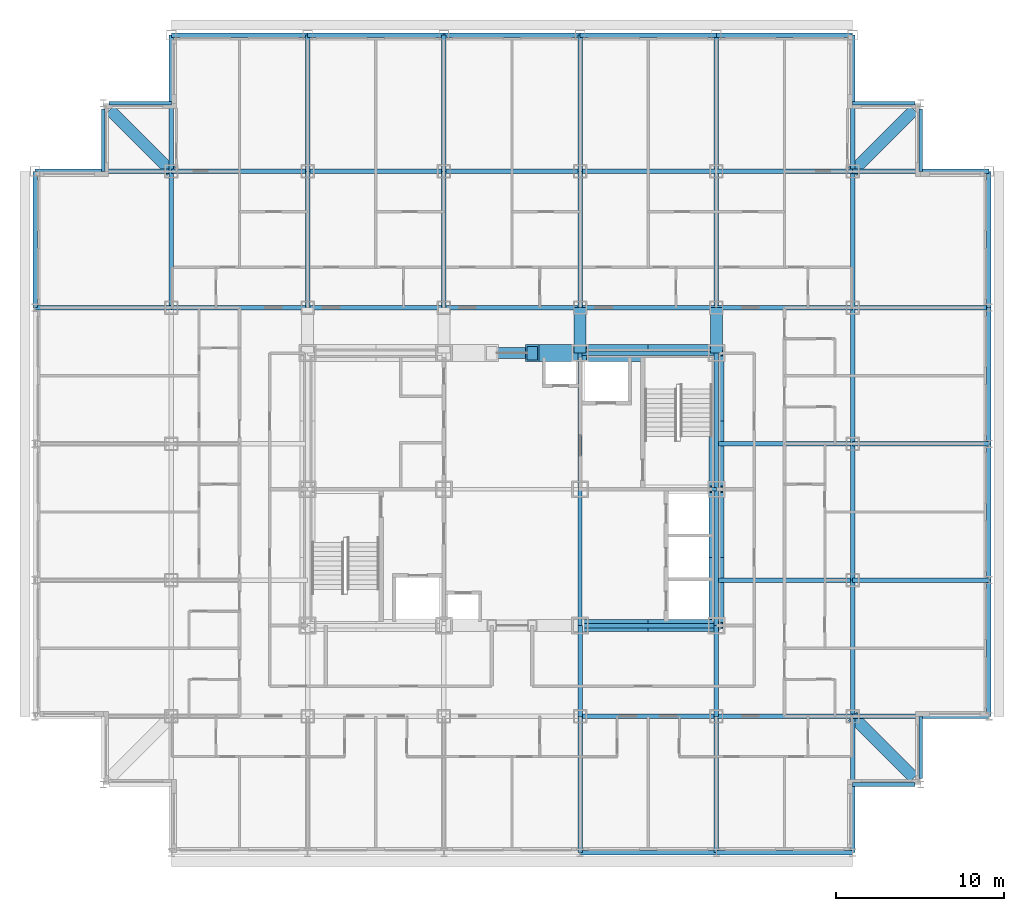
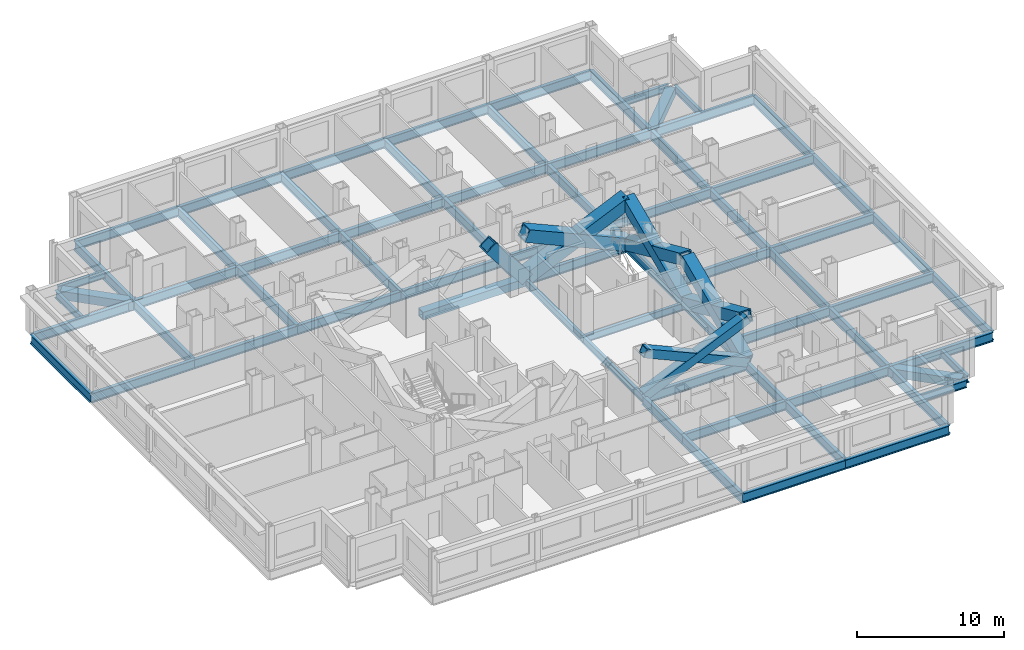
# One storey, part 2 of 12: 72 beams, 9 members.
"""IFC4 building model written with IfcOpenShell, lengths in metres."""

from ifc_helpers import new_model, si_unit, direction, frame, origin, origin_2d, place, context, subcontext, project, spatial, hollow_rectangle, i_section, extrude, material, material_profile, profile_set, type_object, element, save


model = new_model("IFC4")

# Units and contexts
model_context = context("Model", 3, precision=1e-05, world=origin(), true_north=direction((0.0, 1.0)))
body_context = subcontext(model_context, "Body", "Model", "MODEL_VIEW")
ifc_project = project(units=[si_unit("LENGTHUNIT", "METRE"), si_unit("AREAUNIT", "SQUARE_METRE"), si_unit("VOLUMEUNIT", "CUBIC_METRE"), si_unit("PLANEANGLEUNIT", "RADIAN"), si_unit("MASSUNIT", "GRAM", prefix="KILO")], contexts=[model_context])

# Site, building, storey
site_placement = place(None, origin())
site = spatial("IfcSite", under=ifc_project, at=site_placement, CompositionType="ELEMENT")
building_placement = place(site_placement, origin())
building = spatial("IfcBuilding", under=site, at=building_placement, Name="Kopane Lantern Tower", CompositionType="ELEMENT")
storey_placement = place(building_placement, frame((0.0, 0.0, 170.39990234375)))
storey = spatial("IfcBuildingStorey", under=building, at=storey_placement, Name="L43", CompositionType="ELEMENT", Elevation=170.39990234375)

# Members
ifc_material_1 = material(Name="Steel S355JR", Category="steel")
ifc_material_profile_1 = material_profile(ifc_material_1, hollow_rectangle(XDim=1.0, YDim=1.0, WallThickness=0.10009765625, at=origin_2d()), Name="BOX 1000x1000x100")
ifc_profile_set_1 = profile_set([ifc_material_profile_1], Name="Steel S355JR")
member_type_1 = type_object("IfcMemberType", Name="BRACE BOX 1000x1000x100", PredefinedType="BRACE", material=ifc_profile_set_1)
member_placement = place(storey_placement, frame((32.39990234375, 40.5, -0.2099609375), z_axis=(-0.620672981644, 0.0, 0.784069544018), x_axis=(0.0, -1.0, 0.0)))
element("IfcMember", 1, at=member_placement, inside=storey, type_object=member_type_1, Name="Core brace L43", PredefinedType="BRACE", context=body_context, shape_type="SweptSolid", body=[
    extrude(hollow_rectangle(XDim=1.0, YDim=1.0, WallThickness=0.10009765625, at=origin_2d()), origin(), (0.0, 0.0, 1.0), 4.591552734375),
])
for number, where, z_axis, x_axis, name in (
    (2, (32.39990234375, 40.5, -0.2099609375), (0.913809277049, 0.0, 0.40614357705), (0.0, 1.0, 0.0), "Core brace L43"),
    (3, (40.5, 40.5, -0.2099609375), (-0.913809277049, 0.0, 0.40614357705), (0.0, -1.0, 0.0), "Core brace L43"),
):
    element("IfcMember", number, at=place(storey_placement, frame(where, z_axis=z_axis, x_axis=x_axis)), inside=storey, type_object=member_type_1, Name=name, PredefinedType="BRACE", context=body_context, shape_type="SweptSolid", body=[
        extrude(hollow_rectangle(XDim=1.0, YDim=1.0, WallThickness=0.10009765625, at=origin_2d()), origin(), (0.0, 0.0, 1.0), 8.864013671875),
    ])
ifc_material_2 = material(Name="Steel S355JR", Category="steel")
ifc_material_profile_2 = material_profile(ifc_material_2, hollow_rectangle(XDim=0.699951171875, YDim=0.699951171875, WallThickness=0.06005859375, at=origin_2d()), Name="BOX 700x700x60")
ifc_profile_set_2 = profile_set([ifc_material_profile_2], Name="Steel S355JR")
member_type_2 = type_object("IfcMemberType", Name="BRACE BOX 700x700x60", PredefinedType="BRACE", material=ifc_profile_set_2)
for number, where, z_axis, x_axis, name in (
    (4, (32.39990234375, 24.300048828125, -0.2099609375), (0.913809277049, 0.0, 0.40614357705), (0.0, 1.0, 0.0), "Core brace L43"),
    (5, (40.5, 24.300048828125, -0.2099609375), (-0.913809277049, 0.0, 0.40614357705), (0.0, -1.0, 0.0), "Core brace L43"),
):
    element("IfcMember", number, at=place(storey_placement, frame(where, z_axis=z_axis, x_axis=x_axis)), inside=storey, type_object=member_type_2, Name=name, PredefinedType="BRACE", context=body_context, shape_type="SweptSolid", body=[
        extrude(hollow_rectangle(XDim=0.699951171875, YDim=0.699951171875, WallThickness=0.06005859375, at=origin_2d()), origin(), (0.0, 0.0, 1.0), 8.864013671875),
    ])
ifc_material_3 = material(Name="Steel S355JR", Category="steel")
ifc_material_profile_3 = material_profile(ifc_material_3, hollow_rectangle(XDim=0.89990234375, YDim=0.89990234375, WallThickness=0.090087890625, at=origin_2d()), Name="BOX 900x900x90")
ifc_profile_set_3 = profile_set([ifc_material_profile_3], Name="Steel S355JR")
member_type_3 = type_object("IfcMemberType", Name="BRACE BOX 900x900x90", PredefinedType="BRACE", material=ifc_profile_set_3)
for number, where, z_axis, x_axis, name in (
    (6, (40.5, 24.300048828125, -0.2099609375), (0.0, 0.91380473365, 0.406153799391), (-1.0, 0.0, 0.0), "Core brace L43"),
    (7, (40.5, 32.39990234375, -0.2099609375), (0.0, -0.91380473365, 0.406153799391), (1.0, 0.0, 0.0), "Core brace L43"),
):
    element("IfcMember", number, at=place(storey_placement, frame(where, z_axis=z_axis, x_axis=x_axis)), inside=storey, type_object=member_type_3, Name=name, PredefinedType="BRACE", context=body_context, shape_type="SweptSolid", body=[
        extrude(hollow_rectangle(XDim=0.89990234375, YDim=0.89990234375, WallThickness=0.090087890625, at=origin_2d()), origin(), (0.0, 0.0, 1.0), 8.86376953125),
    ])
for number, where, z_axis, x_axis, name in (
    (8, (40.5, 32.39990234375, -0.2099609375), (0.0, 0.913809277049, 0.40614357705), (-1.0, 0.0, 0.0), "Core brace L43"),
    (9, (40.5, 40.5, -0.2099609375), (0.0, -0.913809277049, 0.40614357705), (1.0, 0.0, 0.0), "Core brace L43"),
):
    element("IfcMember", number, at=place(storey_placement, frame(where, z_axis=z_axis, x_axis=x_axis)), inside=storey, type_object=member_type_3, Name=name, PredefinedType="BRACE", context=body_context, shape_type="SweptSolid", body=[
        extrude(hollow_rectangle(XDim=0.89990234375, YDim=0.89990234375, WallThickness=0.090087890625, at=origin_2d()), origin(), (0.0, 0.0, 1.0), 8.864013671875),
    ])

# Beams
ifc_material_4 = material(Name="Steel S355JR", Category="steel")
ifc_material_profile_4 = material_profile(ifc_material_4, i_section(OverallWidth=0.22900390625, OverallDepth=0.6123046875, WebThickness=0.011962890625, FlangeThickness=0.01953125, FilletRadius=0.0126953125, at=origin_2d()), Name="UB 610x229x125")
ifc_profile_set_4 = profile_set([ifc_material_profile_4], Name="Steel S355JR")
beam_type_1 = type_object("IfcBeamType", Name="CORE BEAM UB 610x229x125", PredefinedType="BEAM", material=ifc_profile_set_4)
beam_1_placement = place(storey_placement, frame((32.39990234375, 24.300048828125, -0.51611328125), z_axis=(0.0, 1.0, 0.0), x_axis=(-1.0, 0.0, 0.0)))
element("IfcBeam", 10, at=beam_1_placement, inside=storey, type_object=beam_type_1, Name="Core Beam L43", PredefinedType="BEAM", context=body_context, shape_type="SweptSolid", body=[
    extrude(i_section(OverallWidth=0.22900390625, OverallDepth=0.6123046875, WebThickness=0.011962890625, FlangeThickness=0.01953125, FilletRadius=0.0126953125, at=origin_2d()), origin(), (0.0, 0.0, 1.0), 8.099853515625),
])
for number, where, z_axis, x_axis, name in (
    (11, (32.39990234375, 32.39990234375, -0.51611328125), (0.0, 1.0, 0.0), (-1.0, 0.0, 0.0), "Core Beam L43"),
    (12, (32.39990234375, 32.39990234375, -0.51611328125), (1.0, 0.0, 0.0), (0.0, 1.0, 0.0), "Core Beam L43"),
):
    element("IfcBeam", number, at=place(storey_placement, frame(where, z_axis=z_axis, x_axis=x_axis)), inside=storey, type_object=beam_type_1, Name=name, PredefinedType="BEAM", context=body_context, shape_type="SweptSolid", body=[
        extrude(i_section(OverallWidth=0.22900390625, OverallDepth=0.6123046875, WebThickness=0.011962890625, FlangeThickness=0.01953125, FilletRadius=0.0126953125, at=origin_2d()), origin(), (0.0, 0.0, 1.0), 8.10009765625),
    ])
ifc_material_5 = material(Name="Steel S355JR", Category="steel")
ifc_material_profile_5 = material_profile(ifc_material_5, hollow_rectangle(XDim=0.699951171875, YDim=0.699951171875, WallThickness=0.06005859375, at=origin_2d()), Name="BOX 700x700x60")
ifc_profile_set_5 = profile_set([ifc_material_profile_5], Name="Steel S355JR")
beam_type_2 = type_object("IfcBeamType", Name="CORNER TIE BEAM BOX 700x700x60", PredefinedType="BEAM", material=ifc_profile_set_5)
for number, where, z_axis, x_axis, name in (
    (13, (4.447509765625, 54.952392578125, -0.559814453125), (0.70713041325, -0.707083148333, 0.0), (0.707083148333, 0.70713041325, 0.0), "Corner Tie Beam L43"),
    (14, (52.25244140625, 15.24755859375, -0.559814453125), (-0.707106781187, 0.707106781187, 0.0), (-0.707106781187, -0.707106781187, 0.0), "Corner Tie Beam L43"),
    (15, (52.25244140625, 54.952392578125, -0.559814453125), (-0.707106781187, -0.707106781187, 0.0), (0.707106781187, -0.707106781187, 0.0), "Corner Tie Beam L43"),
):
    element("IfcBeam", number, at=place(storey_placement, frame(where, z_axis=z_axis, x_axis=x_axis)), inside=storey, type_object=beam_type_2, Name=name, PredefinedType="BEAM", context=body_context, shape_type="SweptSolid", body=[
        extrude(hollow_rectangle(XDim=0.699951171875, YDim=0.699951171875, WallThickness=0.06005859375, at=origin_2d()), origin(), (0.0, 0.0, 1.0), 5.165283203125),
    ])
ifc_material_6 = material(Name="Steel S355JR", Category="steel")
ifc_material_profile_6 = material_profile(ifc_material_6, i_section(OverallWidth=0.22900390625, OverallDepth=0.6123046875, WebThickness=0.011962890625, FlangeThickness=0.01953125, FilletRadius=0.0126953125, at=origin_2d()), Name="UB 610x229x125")
ifc_profile_set_6 = profile_set([ifc_material_profile_6], Name="Steel S355JR")
beam_type_3 = type_object("IfcBeamType", Name="EDGE BEAM UB 610x229x125", PredefinedType="BEAM", material=ifc_profile_set_6)
beam_2_placement = place(storey_placement, frame((4.050048828125, 55.0, -0.51611328125), z_axis=(0.0, -1.0, 0.0), x_axis=(1.0, 0.0, 0.0)))
element("IfcBeam", 16, at=beam_2_placement, inside=storey, type_object=beam_type_3, Name="Edge Beam L43", PredefinedType="BEAM", context=body_context, shape_type="SweptSolid", body=[
    extrude(i_section(OverallWidth=0.22900390625, OverallDepth=0.6123046875, WebThickness=0.011962890625, FlangeThickness=0.01953125, FilletRadius=0.0126953125, at=origin_2d()), origin(), (0.0, 0.0, 1.0), 3.699951171875),
])
beam_3_placement = place(storey_placement, frame((4.39990234375, 55.35009765625, -0.51611328125), z_axis=(1.0, 0.0, 0.0), x_axis=(0.0, 1.0, 0.0)))
element("IfcBeam", 17, at=beam_3_placement, inside=storey, type_object=beam_type_3, Name="Edge Beam L43", PredefinedType="BEAM", context=body_context, shape_type="SweptSolid", body=[
    extrude(i_section(OverallWidth=0.22900390625, OverallDepth=0.6123046875, WebThickness=0.011962890625, FlangeThickness=0.01953125, FilletRadius=0.0126953125, at=origin_2d()), origin(), (0.0, 0.0, 1.0), 3.7001953125),
])
for number, where, z_axis, x_axis, name in (
    (18, (52.300048828125, 14.85009765625, -0.51611328125), (-1.0, 0.0, 0.0), (0.0, -1.0, 0.0), "Edge Beam L43"),
    (19, (52.300048828125, 55.35009765625, -0.51611328125), (-1.0, 0.0, 0.0), (0.0, -1.0, 0.0), "Edge Beam L43"),
    (20, (52.64990234375, 15.199951171875, -0.51611328125), (0.0, 1.0, 0.0), (-1.0, 0.0, 0.0), "Edge Beam L43"),
    (21, (52.64990234375, 55.0, -0.51611328125), (0.0, -1.0, 0.0), (1.0, 0.0, 0.0), "Edge Beam L43"),
):
    element("IfcBeam", number, at=place(storey_placement, frame(where, z_axis=z_axis, x_axis=x_axis)), inside=storey, type_object=beam_type_3, Name=name, PredefinedType="BEAM", context=body_context, shape_type="SweptSolid", body=[
        extrude(i_section(OverallWidth=0.22900390625, OverallDepth=0.6123046875, WebThickness=0.011962890625, FlangeThickness=0.01953125, FilletRadius=0.0126953125, at=origin_2d()), origin(), (0.0, 0.0, 1.0), 3.699951171875),
    ])
ifc_material_7 = material(Name="Steel S355JR", Category="steel")
ifc_material_profile_7 = material_profile(ifc_material_7, hollow_rectangle(XDim=0.699951171875, YDim=0.699951171875, WallThickness=0.06005859375, at=origin_2d()), Name="BOX 700x700x60")
ifc_profile_set_7 = profile_set([ifc_material_profile_7], Name="Steel S355JR")
beam_type_4 = type_object("IfcBeamType", Name="GIRDER BOX 700x700x60", PredefinedType="BEAM", material=ifc_profile_set_7)
for number, where, z_axis, x_axis, name in (
    (22, (32.39990234375, 40.5, -0.559814453125), (0.0, 1.0, 0.0), (-1.0, 0.0, 0.0), "Girder L43"),
    (23, (40.5, 40.5, -0.559814453125), (0.0, 1.0, 0.0), (-1.0, 0.0, 0.0), "Girder L43"),
):
    element("IfcBeam", number, at=place(storey_placement, frame(where, z_axis=z_axis, x_axis=x_axis)), inside=storey, type_object=beam_type_4, Name=name, PredefinedType="BEAM", context=body_context, shape_type="SweptSolid", body=[
        extrude(hollow_rectangle(XDim=0.699951171875, YDim=0.699951171875, WallThickness=0.06005859375, at=origin_2d()), origin(), (0.0, 0.0, 1.0), 2.699951171875),
    ])
ifc_material_8 = material(Name="Steel S355JR", Category="steel")
ifc_material_profile_8 = material_profile(ifc_material_8, i_section(OverallWidth=0.26806640625, OverallDepth=0.769775390625, WebThickness=0.015625, FlangeThickness=0.025390625, FilletRadius=0.0166015625, at=origin_2d()), Name="UB 762x267x197")
ifc_profile_set_8 = profile_set([ifc_material_profile_8], Name="Steel S355JR")
beam_type_5 = type_object("IfcBeamType", Name="GIRDER UB 762x267x197", PredefinedType="BEAM", material=ifc_profile_set_8)
for number, where, z_axis, x_axis, name in (
    (24, (0.0, 43.199951171875, -0.5947265625), (0.0, 1.0, 0.0), (-1.0, 0.0, 0.0), "Girder L43"),
    (25, (0.0, 43.199951171875, -0.5947265625), (1.0, 0.0, 0.0), (0.0, 1.0, 0.0), "Girder L43"),
    (26, (0.0, 51.300048828125, -0.5947265625), (1.0, 0.0, 0.0), (0.0, 1.0, 0.0), "Girder L43"),
    (27, (8.10009765625, 43.199951171875, -0.5947265625), (0.0, 1.0, 0.0), (-1.0, 0.0, 0.0), "Girder L43"),
):
    element("IfcBeam", number, at=place(storey_placement, frame(where, z_axis=z_axis, x_axis=x_axis)), inside=storey, type_object=beam_type_5, Name=name, PredefinedType="BEAM", context=body_context, shape_type="SweptSolid", body=[
        extrude(i_section(OverallWidth=0.26806640625, OverallDepth=0.769775390625, WebThickness=0.015625, FlangeThickness=0.025390625, FilletRadius=0.0166015625, at=origin_2d()), origin(), (0.0, 0.0, 1.0), 8.10009765625),
    ])
for number, where, z_axis, x_axis, name in (
    (28, (8.10009765625, 43.199951171875, -0.5947265625), (1.0, 0.0, 0.0), (0.0, 1.0, 0.0), "Girder L43"),
    (29, (8.10009765625, 51.300048828125, -0.5947265625), (0.0, 1.0, 0.0), (-1.0, 0.0, 0.0), "Girder L43"),
    (30, (8.10009765625, 51.300048828125, -0.5947265625), (1.0, 0.0, 0.0), (0.0, 1.0, 0.0), "Girder L43"),
    (31, (8.10009765625, 59.39990234375, -0.5947265625), (1.0, 0.0, 0.0), (0.0, 1.0, 0.0), "Girder L43"),
):
    element("IfcBeam", number, at=place(storey_placement, frame(where, z_axis=z_axis, x_axis=x_axis)), inside=storey, type_object=beam_type_5, Name=name, PredefinedType="BEAM", context=body_context, shape_type="SweptSolid", body=[
        extrude(i_section(OverallWidth=0.26806640625, OverallDepth=0.769775390625, WebThickness=0.015625, FlangeThickness=0.025390625, FilletRadius=0.0166015625, at=origin_2d()), origin(), (0.0, 0.0, 1.0), 8.099853515625),
    ])
for number, where, z_axis, x_axis, name in (
    (32, (16.199951171875, 43.199951171875, -0.5947265625), (0.0, 1.0, 0.0), (-1.0, 0.0, 0.0), "Girder L43"),
    (33, (16.199951171875, 43.199951171875, -0.5947265625), (1.0, 0.0, 0.0), (0.0, 1.0, 0.0), "Girder L43"),
):
    element("IfcBeam", number, at=place(storey_placement, frame(where, z_axis=z_axis, x_axis=x_axis)), inside=storey, type_object=beam_type_5, Name=name, PredefinedType="BEAM", context=body_context, shape_type="SweptSolid", body=[
        extrude(i_section(OverallWidth=0.26806640625, OverallDepth=0.769775390625, WebThickness=0.015625, FlangeThickness=0.025390625, FilletRadius=0.0166015625, at=origin_2d()), origin(), (0.0, 0.0, 1.0), 8.10009765625),
    ])
beam_4_placement = place(storey_placement, frame((16.199951171875, 51.300048828125, -0.5947265625), z_axis=(0.0, 1.0, 0.0), x_axis=(-1.0, 0.0, 0.0)))
element("IfcBeam", 34, at=beam_4_placement, inside=storey, type_object=beam_type_5, Name="Girder L43", PredefinedType="BEAM", context=body_context, shape_type="SweptSolid", body=[
    extrude(i_section(OverallWidth=0.26806640625, OverallDepth=0.769775390625, WebThickness=0.015625, FlangeThickness=0.025390625, FilletRadius=0.0166015625, at=origin_2d()), origin(), (0.0, 0.0, 1.0), 8.099853515625),
])
for number, where, z_axis, x_axis, name in (
    (35, (16.199951171875, 51.300048828125, -0.5947265625), (1.0, 0.0, 0.0), (0.0, 1.0, 0.0), "Girder L43"),
    (36, (16.199951171875, 59.39990234375, -0.5947265625), (1.0, 0.0, 0.0), (0.0, 1.0, 0.0), "Girder L43"),
    (37, (24.300048828125, 43.199951171875, -0.5947265625), (0.0, 1.0, 0.0), (-1.0, 0.0, 0.0), "Girder L43"),
):
    element("IfcBeam", number, at=place(storey_placement, frame(where, z_axis=z_axis, x_axis=x_axis)), inside=storey, type_object=beam_type_5, Name=name, PredefinedType="BEAM", context=body_context, shape_type="SweptSolid", body=[
        extrude(i_section(OverallWidth=0.26806640625, OverallDepth=0.769775390625, WebThickness=0.015625, FlangeThickness=0.025390625, FilletRadius=0.0166015625, at=origin_2d()), origin(), (0.0, 0.0, 1.0), 8.10009765625),
    ])
for number, where, z_axis, x_axis, name in (
    (38, (24.300048828125, 43.199951171875, -0.5947265625), (1.0, 0.0, 0.0), (0.0, 1.0, 0.0), "Girder L43"),
    (39, (24.300048828125, 51.300048828125, -0.5947265625), (0.0, 1.0, 0.0), (-1.0, 0.0, 0.0), "Girder L43"),
    (40, (24.300048828125, 51.300048828125, -0.5947265625), (1.0, 0.0, 0.0), (0.0, 1.0, 0.0), "Girder L43"),
    (41, (24.300048828125, 59.39990234375, -0.5947265625), (1.0, 0.0, 0.0), (0.0, 1.0, 0.0), "Girder L43"),
    (42, (32.39990234375, 10.800048828125, -0.5947265625), (0.0, 1.0, 0.0), (-1.0, 0.0, 0.0), "Girder L43"),
):
    element("IfcBeam", number, at=place(storey_placement, frame(where, z_axis=z_axis, x_axis=x_axis)), inside=storey, type_object=beam_type_5, Name=name, PredefinedType="BEAM", context=body_context, shape_type="SweptSolid", body=[
        extrude(i_section(OverallWidth=0.26806640625, OverallDepth=0.769775390625, WebThickness=0.015625, FlangeThickness=0.025390625, FilletRadius=0.0166015625, at=origin_2d()), origin(), (0.0, 0.0, 1.0), 8.099853515625),
    ])
beam_5_placement = place(storey_placement, frame((32.39990234375, 10.800048828125, -0.5947265625), z_axis=(1.0, 0.0, 0.0), x_axis=(0.0, 1.0, 0.0)))
element("IfcBeam", 43, at=beam_5_placement, inside=storey, type_object=beam_type_5, Name="Girder L43", PredefinedType="BEAM", context=body_context, shape_type="SweptSolid", body=[
    extrude(i_section(OverallWidth=0.26806640625, OverallDepth=0.769775390625, WebThickness=0.015625, FlangeThickness=0.025390625, FilletRadius=0.0166015625, at=origin_2d()), origin(), (0.0, 0.0, 1.0), 8.10009765625),
])
beam_6_placement = place(storey_placement, frame((32.39990234375, 18.89990234375, -0.5947265625), z_axis=(0.0, 1.0, 0.0), x_axis=(-1.0, 0.0, 0.0)))
element("IfcBeam", 44, at=beam_6_placement, inside=storey, type_object=beam_type_5, Name="Girder L43", PredefinedType="BEAM", context=body_context, shape_type="SweptSolid", body=[
    extrude(i_section(OverallWidth=0.26806640625, OverallDepth=0.769775390625, WebThickness=0.015625, FlangeThickness=0.025390625, FilletRadius=0.0166015625, at=origin_2d()), origin(), (0.0, 0.0, 1.0), 5.400146484375),
])
for number, where, z_axis, x_axis, name in (
    (45, (32.39990234375, 18.89990234375, -0.5947265625), (1.0, 0.0, 0.0), (0.0, 1.0, 0.0), "Girder L43"),
    (46, (32.39990234375, 24.300048828125, -0.5947265625), (1.0, 0.0, 0.0), (0.0, 1.0, 0.0), "Girder L43"),
    (47, (32.39990234375, 40.5, -0.5947265625), (1.0, 0.0, 0.0), (0.0, 1.0, 0.0), "Girder L43"),
    (48, (32.39990234375, 43.199951171875, -0.5947265625), (0.0, 1.0, 0.0), (-1.0, 0.0, 0.0), "Girder L43"),
    (49, (32.39990234375, 43.199951171875, -0.5947265625), (1.0, 0.0, 0.0), (0.0, 1.0, 0.0), "Girder L43"),
):
    element("IfcBeam", number, at=place(storey_placement, frame(where, z_axis=z_axis, x_axis=x_axis)), inside=storey, type_object=beam_type_5, Name=name, PredefinedType="BEAM", context=body_context, shape_type="SweptSolid", body=[
        extrude(i_section(OverallWidth=0.26806640625, OverallDepth=0.769775390625, WebThickness=0.015625, FlangeThickness=0.025390625, FilletRadius=0.0166015625, at=origin_2d()), origin(), (0.0, 0.0, 1.0), 8.10009765625),
    ])
beam_7_placement = place(storey_placement, frame((32.39990234375, 51.300048828125, -0.5947265625), z_axis=(0.0, 1.0, 0.0), x_axis=(-1.0, 0.0, 0.0)))
element("IfcBeam", 50, at=beam_7_placement, inside=storey, type_object=beam_type_5, Name="Girder L43", PredefinedType="BEAM", context=body_context, shape_type="SweptSolid", body=[
    extrude(i_section(OverallWidth=0.26806640625, OverallDepth=0.769775390625, WebThickness=0.015625, FlangeThickness=0.025390625, FilletRadius=0.0166015625, at=origin_2d()), origin(), (0.0, 0.0, 1.0), 8.099853515625),
])
for number, where, z_axis, x_axis, name in (
    (51, (32.39990234375, 51.300048828125, -0.5947265625), (1.0, 0.0, 0.0), (0.0, 1.0, 0.0), "Girder L43"),
    (52, (32.39990234375, 59.39990234375, -0.5947265625), (1.0, 0.0, 0.0), (0.0, 1.0, 0.0), "Girder L43"),
):
    element("IfcBeam", number, at=place(storey_placement, frame(where, z_axis=z_axis, x_axis=x_axis)), inside=storey, type_object=beam_type_5, Name=name, PredefinedType="BEAM", context=body_context, shape_type="SweptSolid", body=[
        extrude(i_section(OverallWidth=0.26806640625, OverallDepth=0.769775390625, WebThickness=0.015625, FlangeThickness=0.025390625, FilletRadius=0.0166015625, at=origin_2d()), origin(), (0.0, 0.0, 1.0), 8.10009765625),
    ])
beam_8_placement = place(storey_placement, frame((40.5, 10.800048828125, -0.5947265625), z_axis=(0.0, 1.0, 0.0), x_axis=(-1.0, 0.0, 0.0)))
element("IfcBeam", 53, at=beam_8_placement, inside=storey, type_object=beam_type_5, Name="Girder L43", PredefinedType="BEAM", context=body_context, shape_type="SweptSolid", body=[
    extrude(i_section(OverallWidth=0.26806640625, OverallDepth=0.769775390625, WebThickness=0.015625, FlangeThickness=0.025390625, FilletRadius=0.0166015625, at=origin_2d()), origin(), (0.0, 0.0, 1.0), 8.099853515625),
])
beam_9_placement = place(storey_placement, frame((40.5, 10.800048828125, -0.5947265625), z_axis=(1.0, 0.0, 0.0), x_axis=(0.0, 1.0, 0.0)))
element("IfcBeam", 54, at=beam_9_placement, inside=storey, type_object=beam_type_5, Name="Girder L43", PredefinedType="BEAM", context=body_context, shape_type="SweptSolid", body=[
    extrude(i_section(OverallWidth=0.26806640625, OverallDepth=0.769775390625, WebThickness=0.015625, FlangeThickness=0.025390625, FilletRadius=0.0166015625, at=origin_2d()), origin(), (0.0, 0.0, 1.0), 8.10009765625),
])
beam_10_placement = place(storey_placement, frame((40.5, 18.89990234375, -0.5947265625), z_axis=(0.0, 1.0, 0.0), x_axis=(-1.0, 0.0, 0.0)))
element("IfcBeam", 55, at=beam_10_placement, inside=storey, type_object=beam_type_5, Name="Girder L43", PredefinedType="BEAM", context=body_context, shape_type="SweptSolid", body=[
    extrude(i_section(OverallWidth=0.26806640625, OverallDepth=0.769775390625, WebThickness=0.015625, FlangeThickness=0.025390625, FilletRadius=0.0166015625, at=origin_2d()), origin(), (0.0, 0.0, 1.0), 5.400146484375),
])
beam_11_placement = place(storey_placement, frame((40.5, 18.89990234375, -0.5947265625), z_axis=(1.0, 0.0, 0.0), x_axis=(0.0, 1.0, 0.0)))
element("IfcBeam", 56, at=beam_11_placement, inside=storey, type_object=beam_type_5, Name="Girder L43", PredefinedType="BEAM", context=body_context, shape_type="SweptSolid", body=[
    extrude(i_section(OverallWidth=0.26806640625, OverallDepth=0.769775390625, WebThickness=0.015625, FlangeThickness=0.025390625, FilletRadius=0.0166015625, at=origin_2d()), origin(), (0.0, 0.0, 1.0), 8.10009765625),
])
beam_12_placement = place(storey_placement, frame((40.5, 24.300048828125, -0.5947265625), z_axis=(0.0, 1.0, 0.0), x_axis=(-1.0, 0.0, 0.0)))
element("IfcBeam", 57, at=beam_12_placement, inside=storey, type_object=beam_type_5, Name="Girder L43", PredefinedType="BEAM", context=body_context, shape_type="SweptSolid", body=[
    extrude(i_section(OverallWidth=0.26806640625, OverallDepth=0.769775390625, WebThickness=0.015625, FlangeThickness=0.025390625, FilletRadius=0.0166015625, at=origin_2d()), origin(), (0.0, 0.0, 1.0), 8.099853515625),
])
for number, where, z_axis, x_axis, name in (
    (58, (40.5, 27.0, -0.5947265625), (1.0, 0.0, 0.0), (0.0, 1.0, 0.0), "Girder L43"),
    (59, (40.5, 32.39990234375, -0.5947265625), (0.0, 1.0, 0.0), (-1.0, 0.0, 0.0), "Girder L43"),
    (60, (40.5, 35.10009765625, -0.5947265625), (1.0, 0.0, 0.0), (0.0, 1.0, 0.0), "Girder L43"),
    (61, (40.5, 43.199951171875, -0.5947265625), (0.0, 1.0, 0.0), (-1.0, 0.0, 0.0), "Girder L43"),
    (62, (40.5, 43.199951171875, -0.5947265625), (1.0, 0.0, 0.0), (0.0, 1.0, 0.0), "Girder L43"),
):
    element("IfcBeam", number, at=place(storey_placement, frame(where, z_axis=z_axis, x_axis=x_axis)), inside=storey, type_object=beam_type_5, Name=name, PredefinedType="BEAM", context=body_context, shape_type="SweptSolid", body=[
        extrude(i_section(OverallWidth=0.26806640625, OverallDepth=0.769775390625, WebThickness=0.015625, FlangeThickness=0.025390625, FilletRadius=0.0166015625, at=origin_2d()), origin(), (0.0, 0.0, 1.0), 8.10009765625),
    ])
beam_13_placement = place(storey_placement, frame((40.5, 51.300048828125, -0.5947265625), z_axis=(0.0, 1.0, 0.0), x_axis=(-1.0, 0.0, 0.0)))
element("IfcBeam", 63, at=beam_13_placement, inside=storey, type_object=beam_type_5, Name="Girder L43", PredefinedType="BEAM", context=body_context, shape_type="SweptSolid", body=[
    extrude(i_section(OverallWidth=0.26806640625, OverallDepth=0.769775390625, WebThickness=0.015625, FlangeThickness=0.025390625, FilletRadius=0.0166015625, at=origin_2d()), origin(), (0.0, 0.0, 1.0), 8.099853515625),
])
for number, where, z_axis, x_axis, name in (
    (64, (40.5, 51.300048828125, -0.5947265625), (1.0, 0.0, 0.0), (0.0, 1.0, 0.0), "Girder L43"),
    (65, (40.5, 59.39990234375, -0.5947265625), (1.0, 0.0, 0.0), (0.0, 1.0, 0.0), "Girder L43"),
):
    element("IfcBeam", number, at=place(storey_placement, frame(where, z_axis=z_axis, x_axis=x_axis)), inside=storey, type_object=beam_type_5, Name=name, PredefinedType="BEAM", context=body_context, shape_type="SweptSolid", body=[
        extrude(i_section(OverallWidth=0.26806640625, OverallDepth=0.769775390625, WebThickness=0.015625, FlangeThickness=0.025390625, FilletRadius=0.0166015625, at=origin_2d()), origin(), (0.0, 0.0, 1.0), 8.10009765625),
    ])
beam_14_placement = place(storey_placement, frame((48.60009765625, 10.800048828125, -0.5947265625), z_axis=(0.0, 1.0, 0.0), x_axis=(-1.0, 0.0, 0.0)))
element("IfcBeam", 66, at=beam_14_placement, inside=storey, type_object=beam_type_5, Name="Girder L43", PredefinedType="BEAM", context=body_context, shape_type="SweptSolid", body=[
    extrude(i_section(OverallWidth=0.26806640625, OverallDepth=0.769775390625, WebThickness=0.015625, FlangeThickness=0.025390625, FilletRadius=0.0166015625, at=origin_2d()), origin(), (0.0, 0.0, 1.0), 8.099853515625),
])
beam_15_placement = place(storey_placement, frame((48.60009765625, 18.89990234375, -0.5947265625), z_axis=(0.0, 1.0, 0.0), x_axis=(-1.0, 0.0, 0.0)))
element("IfcBeam", 67, at=beam_15_placement, inside=storey, type_object=beam_type_5, Name="Girder L43", PredefinedType="BEAM", context=body_context, shape_type="SweptSolid", body=[
    extrude(i_section(OverallWidth=0.26806640625, OverallDepth=0.769775390625, WebThickness=0.015625, FlangeThickness=0.025390625, FilletRadius=0.0166015625, at=origin_2d()), origin(), (0.0, 0.0, 1.0), 8.10009765625),
])
beam_16_placement = place(storey_placement, frame((48.60009765625, 18.89990234375, -0.5947265625), z_axis=(1.0, 0.0, 0.0), x_axis=(0.0, 1.0, 0.0)))
element("IfcBeam", 68, at=beam_16_placement, inside=storey, type_object=beam_type_5, Name="Girder L43", PredefinedType="BEAM", context=body_context, shape_type="SweptSolid", body=[
    extrude(i_section(OverallWidth=0.26806640625, OverallDepth=0.769775390625, WebThickness=0.015625, FlangeThickness=0.025390625, FilletRadius=0.0166015625, at=origin_2d()), origin(), (0.0, 0.0, 1.0), 8.099853515625),
])
beam_17_placement = place(storey_placement, frame((48.60009765625, 27.0, -0.5947265625), z_axis=(0.0, 1.0, 0.0), x_axis=(-1.0, 0.0, 0.0)))
element("IfcBeam", 69, at=beam_17_placement, inside=storey, type_object=beam_type_5, Name="Girder L43", PredefinedType="BEAM", context=body_context, shape_type="SweptSolid", body=[
    extrude(i_section(OverallWidth=0.26806640625, OverallDepth=0.769775390625, WebThickness=0.015625, FlangeThickness=0.025390625, FilletRadius=0.0166015625, at=origin_2d()), origin(), (0.0, 0.0, 1.0), 8.10009765625),
])
for number, where, z_axis, x_axis, name in (
    (70, (48.60009765625, 27.0, -0.5947265625), (1.0, 0.0, 0.0), (0.0, 1.0, 0.0), "Girder L43"),
    (71, (48.60009765625, 35.10009765625, -0.5947265625), (0.0, 1.0, 0.0), (-1.0, 0.0, 0.0), "Girder L43"),
    (72, (48.60009765625, 35.10009765625, -0.5947265625), (1.0, 0.0, 0.0), (0.0, 1.0, 0.0), "Girder L43"),
):
    element("IfcBeam", number, at=place(storey_placement, frame(where, z_axis=z_axis, x_axis=x_axis)), inside=storey, type_object=beam_type_5, Name=name, PredefinedType="BEAM", context=body_context, shape_type="SweptSolid", body=[
        extrude(i_section(OverallWidth=0.26806640625, OverallDepth=0.769775390625, WebThickness=0.015625, FlangeThickness=0.025390625, FilletRadius=0.0166015625, at=origin_2d()), origin(), (0.0, 0.0, 1.0), 8.099853515625),
    ])
beam_18_placement = place(storey_placement, frame((48.60009765625, 43.199951171875, -0.5947265625), z_axis=(0.0, 1.0, 0.0), x_axis=(-1.0, 0.0, 0.0)))
element("IfcBeam", 73, at=beam_18_placement, inside=storey, type_object=beam_type_5, Name="Girder L43", PredefinedType="BEAM", context=body_context, shape_type="SweptSolid", body=[
    extrude(i_section(OverallWidth=0.26806640625, OverallDepth=0.769775390625, WebThickness=0.015625, FlangeThickness=0.025390625, FilletRadius=0.0166015625, at=origin_2d()), origin(), (0.0, 0.0, 1.0), 8.10009765625),
])
for number, where, z_axis, x_axis, name in (
    (74, (48.60009765625, 43.199951171875, -0.5947265625), (1.0, 0.0, 0.0), (0.0, 1.0, 0.0), "Girder L43"),
    (75, (48.60009765625, 51.300048828125, -0.5947265625), (0.0, 1.0, 0.0), (-1.0, 0.0, 0.0), "Girder L43"),
    (76, (48.60009765625, 51.300048828125, -0.5947265625), (1.0, 0.0, 0.0), (0.0, 1.0, 0.0), "Girder L43"),
):
    element("IfcBeam", number, at=place(storey_placement, frame(where, z_axis=z_axis, x_axis=x_axis)), inside=storey, type_object=beam_type_5, Name=name, PredefinedType="BEAM", context=body_context, shape_type="SweptSolid", body=[
        extrude(i_section(OverallWidth=0.26806640625, OverallDepth=0.769775390625, WebThickness=0.015625, FlangeThickness=0.025390625, FilletRadius=0.0166015625, at=origin_2d()), origin(), (0.0, 0.0, 1.0), 8.099853515625),
    ])
for number, where, z_axis, x_axis, name in (
    (77, (56.699951171875, 18.89990234375, -0.5947265625), (0.0, 1.0, 0.0), (-1.0, 0.0, 0.0), "Girder L43"),
    (78, (56.699951171875, 27.0, -0.5947265625), (0.0, 1.0, 0.0), (-1.0, 0.0, 0.0), "Girder L43"),
):
    element("IfcBeam", number, at=place(storey_placement, frame(where, z_axis=z_axis, x_axis=x_axis)), inside=storey, type_object=beam_type_5, Name=name, PredefinedType="BEAM", context=body_context, shape_type="SweptSolid", body=[
        extrude(i_section(OverallWidth=0.26806640625, OverallDepth=0.769775390625, WebThickness=0.015625, FlangeThickness=0.025390625, FilletRadius=0.0166015625, at=origin_2d()), origin(), (0.0, 0.0, 1.0), 8.10009765625),
    ])
beam_19_placement = place(storey_placement, frame((56.699951171875, 35.10009765625, -0.5947265625), z_axis=(0.0, 1.0, 0.0), x_axis=(-1.0, 0.0, 0.0)))
element("IfcBeam", 79, at=beam_19_placement, inside=storey, type_object=beam_type_5, Name="Girder L43", PredefinedType="BEAM", context=body_context, shape_type="SweptSolid", body=[
    extrude(i_section(OverallWidth=0.26806640625, OverallDepth=0.769775390625, WebThickness=0.015625, FlangeThickness=0.025390625, FilletRadius=0.0166015625, at=origin_2d()), origin(), (0.0, 0.0, 1.0), 8.099853515625),
])
beam_20_placement = place(storey_placement, frame((56.699951171875, 43.199951171875, -0.5947265625), z_axis=(0.0, 1.0, 0.0), x_axis=(-1.0, 0.0, 0.0)))
element("IfcBeam", 80, at=beam_20_placement, inside=storey, type_object=beam_type_5, Name="Girder L43", PredefinedType="BEAM", context=body_context, shape_type="SweptSolid", body=[
    extrude(i_section(OverallWidth=0.26806640625, OverallDepth=0.769775390625, WebThickness=0.015625, FlangeThickness=0.025390625, FilletRadius=0.0166015625, at=origin_2d()), origin(), (0.0, 0.0, 1.0), 8.10009765625),
])
ifc_material_9 = material(Name="Steel S355JR", Category="steel")
ifc_material_profile_9 = material_profile(ifc_material_9, hollow_rectangle(XDim=0.64990234375, YDim=0.64990234375, WallThickness=0.070068359375, at=origin_2d()), Name="BOX 650x650x70")
ifc_profile_set_9 = profile_set([ifc_material_profile_9], Name="Steel S355JR")
beam_type_6 = type_object("IfcBeamType", Name="LINK BEAM BOX 650x650x70", PredefinedType="BEAM", material=ifc_profile_set_9)
beam_21_placement = place(storey_placement, frame((24.300048828125, 40.5, -0.534912109375), z_axis=(1.0, 0.0, 0.0), x_axis=(0.0, 1.0, 0.0)))
element("IfcBeam", 81, at=beam_21_placement, inside=storey, type_object=beam_type_6, Name="Link Beam L43", PredefinedType="BEAM", context=body_context, shape_type="SweptSolid", body=[
    extrude(hollow_rectangle(XDim=0.64990234375, YDim=0.64990234375, WallThickness=0.070068359375, at=origin_2d()), origin(), (0.0, 0.0, 1.0), 8.099853515625),
])

save(model, "model.ifc")
